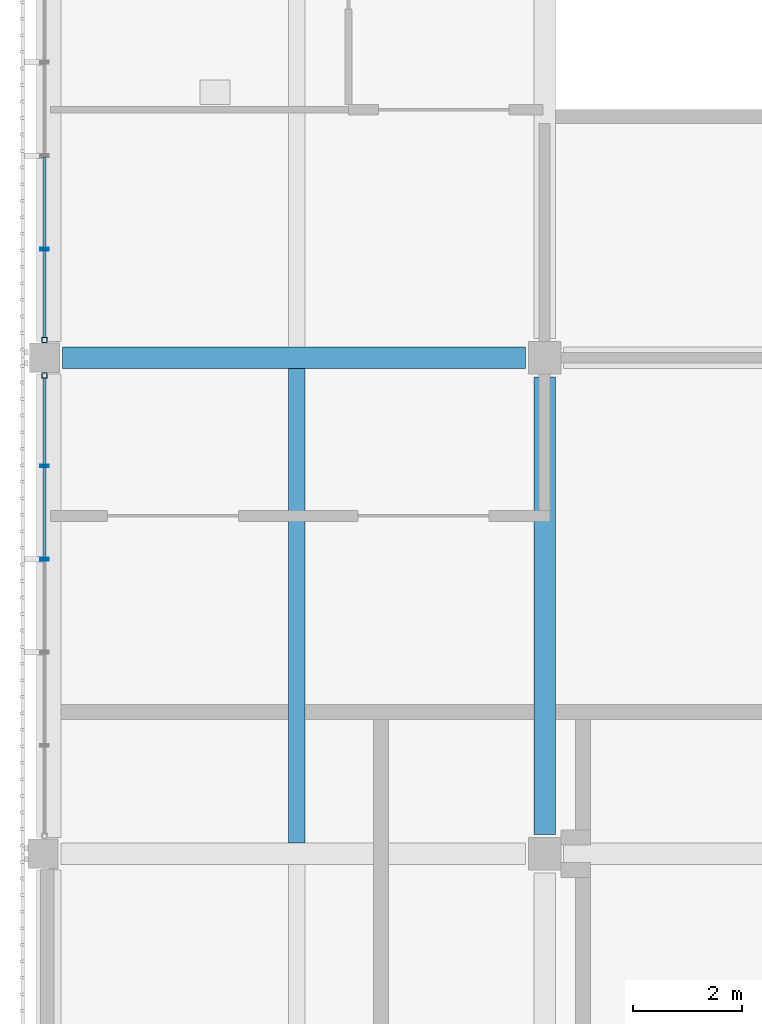
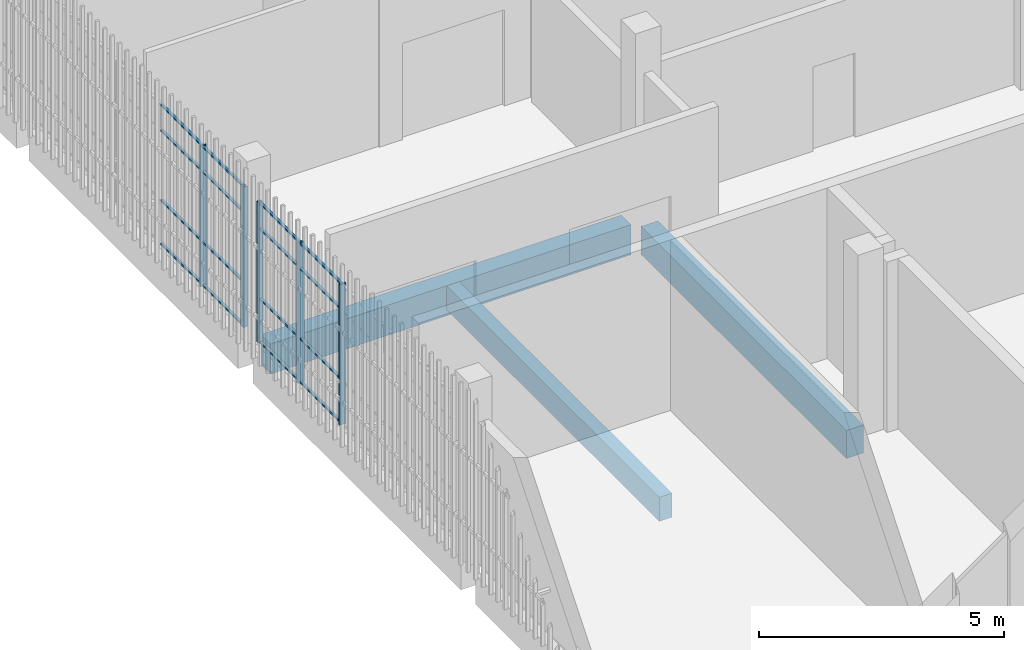
# One storey, part 14 of 124: 21 members, 3 beams, 2 elements without a shape of their own.
"""IFC4 building model written with IfcOpenShell, lengths in metres."""

import ifcopenshell
import ifcopenshell.guid

model = None  # the IFC model being written
_history = None  # IfcOwnerHistory: only IFC2X3 demands one
_inside = {}  # id of a spatial element -> (the spatial element, [elements in it])
_under = {}  # id of a project, library or spatial element -> (it, [spatial elements below it])
_declared = {}  # id of a project -> (the project, [libraries it declares])
_typed = {}  # id of a type object -> (the type object, [elements of that type])
_made_of = {}  # id of a material, layer set ... -> (it, [elements and type objects made of it])


def new_model(schema):
    """Start an empty IFC model of exactly this schema.

    Asked for "IFC4X3", IfcOpenShell would pick the latest addendum, in which some entities
    have other attributes; the version numbers below select the first issue.
    IFC2X3 requires an IfcOwnerHistory on every rooted entity: one is made here for all.
    """
    global model, _history
    if schema == "IFC4X3":
        model = ifcopenshell.file(schema_version=(4, 3, 0, 0))
    else:
        model = ifcopenshell.file(schema=schema)
    _inside.clear()
    _under.clear()
    _declared.clear()
    _typed.clear()
    _made_of.clear()
    _history = None
    if model.schema == "IFC2X3":
        org = make("IfcOrganization", Name="unknown")
        user = make(
            "IfcPersonAndOrganization",
            ThePerson=make("IfcPerson", FamilyName="unknown"),
            TheOrganization=org,
        )
        app = make(
            "IfcApplication",
            ApplicationDeveloper=org,
            Version="unknown",
            ApplicationFullName="unknown",
            ApplicationIdentifier="unknown",
        )
        _history = make(
            "IfcOwnerHistory",
            OwningUser=user,
            OwningApplication=app,
            ChangeAction="ADDED",
            CreationDate=0,
        )
    return model


def make(cls, **values):
    """One entity of the class cls with the attributes given. An attribute that is None is left unset."""
    return model.create_entity(
        cls, **{name: value for name, value in values.items() if value is not None}
    )


def rooted(cls, **values):
    """An entity with a GlobalId (a new one), such as an element, a storey or a relation."""
    return make(cls, GlobalId=ifcopenshell.guid.new(), OwnerHistory=_history, **values)


def si_unit(unit_type, name, prefix=None):
    """IfcSIUnit, for example si_unit("LENGTHUNIT", "METRE", prefix="MILLI")."""
    return make("IfcSIUnit", UnitType=unit_type, Prefix=prefix, Name=name)


def assignment(units):
    """IfcUnitAssignment: the units of a project."""
    return None if units is None else make("IfcUnitAssignment", Units=units)


def point(xyz):
    """IfcCartesianPoint."""
    return None if xyz is None else make("IfcCartesianPoint", Coordinates=xyz)


def direction(xyz):
    """IfcDirection."""
    return None if xyz is None else make("IfcDirection", DirectionRatios=xyz)


def frame(location, z_axis=None, x_axis=None):
    """IfcAxis2Placement3D, a coordinate frame: its origin and axes. An axis left out is left unset."""
    return make(
        "IfcAxis2Placement3D",
        Location=point(location),
        Axis=direction(z_axis),
        RefDirection=direction(x_axis),
    )


def frame_2d(location, x_axis=None):
    """IfcAxis2Placement2D, a coordinate frame in the plane: its origin and x axis."""
    return make(
        "IfcAxis2Placement2D", Location=point(location), RefDirection=direction(x_axis)
    )


def origin():
    """The frame at (0, 0, 0) with its axes left unset."""
    return frame((0.0, 0.0, 0.0))


def origin_2d():
    """The frame at (0, 0) in the plane with its x axis left unset."""
    return frame_2d((0.0, 0.0))


def place(relative_to, where):
    """IfcLocalPlacement: puts the frame where relative to a parent placement (None: the world)."""
    return make(
        "IfcLocalPlacement", PlacementRelTo=relative_to, RelativePlacement=where
    )


def context(
    kind, dimensions, precision=None, world=None, true_north=None, identifier=None
):
    """IfcGeometricRepresentationContext, for example the 3D "Model" context."""
    return make(
        "IfcGeometricRepresentationContext",
        ContextIdentifier=identifier,
        ContextType=kind,
        CoordinateSpaceDimension=dimensions,
        Precision=precision,
        WorldCoordinateSystem=world,
        TrueNorth=true_north,
    )


def subcontext(parent, identifier, kind, view, scale=None):
    """IfcGeometricRepresentationSubContext, for example "Body" below "Model"."""
    return make(
        "IfcGeometricRepresentationSubContext",
        ContextIdentifier=identifier,
        ContextType=kind,
        ParentContext=parent,
        TargetScale=scale,
        TargetView=view,
    )


def project(units=None, contexts=None):
    """IfcProject with its units and contexts."""
    return rooted(
        "IfcProject",
        Name="project",
        RepresentationContexts=contexts,
        UnitsInContext=assignment(units),
    )


def spatial(cls, under=None, at=None, **own):
    """A site, building, storey or space (cls), placed at a placement, below another one or the project."""
    s = rooted(cls, ObjectPlacement=at, **own)
    if under is not None:
        _under.setdefault(under.id(), (under, []))[1].append(s)
    return s


def profile(cls, at=None, kind="AREA", **sizes):
    """A parametric profile (cls). Its sizes go by their IFC names, for example OverallWidth=200.0."""
    return make(cls, ProfileType=kind, Position=at, **sizes)


def rectangle(**sizes):
    """IfcRectangleProfileDef."""
    return profile("IfcRectangleProfileDef", **sizes)


def hollow_rectangle(**sizes):
    """IfcRectangleHollowProfileDef."""
    return profile("IfcRectangleHollowProfileDef", **sizes)


def extrude(swept, where, along, depth):
    """IfcExtrudedAreaSolid: the profile swept, set in the frame where, extruded along a direction by depth."""
    return make(
        "IfcExtrudedAreaSolid",
        SweptArea=swept,
        Position=where,
        ExtrudedDirection=direction(along),
        Depth=depth,
    )


def shape(context_of_items, identifier, shape_type, items):
    """IfcShapeRepresentation: the items that make up one representation, for example the "Body"."""
    return make(
        "IfcShapeRepresentation",
        ContextOfItems=context_of_items,
        RepresentationIdentifier=identifier,
        RepresentationType=shape_type,
        Items=items,
    )


def material(Name=None, Category=None):
    """IfcMaterial."""
    return make("IfcMaterial", Name=Name, Category=Category)


def layer(
    of_material, thickness, ventilated=None, Name=None, Category=None, Priority=None
):
    """IfcMaterialLayer: one layer of a wall or slab, of a material (None: an air gap)."""
    return make(
        "IfcMaterialLayer",
        Material=of_material,
        LayerThickness=thickness,
        IsVentilated=ventilated,
        Name=Name,
        Category=Category,
        Priority=Priority,
    )


def layer_set(layers, Name=None):
    """IfcMaterialLayerSet."""
    return make("IfcMaterialLayerSet", MaterialLayers=layers, LayerSetName=Name)


def material_profile(
    of_material, cross_section, Name=None, Category=None, Priority=None
):
    """IfcMaterialProfile: a cross section and its material."""
    return make(
        "IfcMaterialProfile",
        Name=Name,
        Material=of_material,
        Profile=cross_section,
        Priority=Priority,
        Category=Category,
    )


def profile_set(profiles, Name=None, composite=None):
    """IfcMaterialProfileSet."""
    return make(
        "IfcMaterialProfileSet",
        Name=Name,
        MaterialProfiles=profiles,
        CompositeProfile=composite,
    )


def made_of(thing, what):
    """Note that an element or type object is made of a material, layer set ...; save() writes the relation."""
    if what is not None:
        _made_of.setdefault(what.id(), (what, []))[1].append(thing)
    return thing


def type_object(cls, material=None, **own):
    """A type object (cls), such as IfcWallType, which elements share."""
    return made_of(rooted(cls, **own), material)


def element(
    cls,
    number,
    at=None,
    inside=None,
    cuts=None,
    type_object=None,
    material=None,
    context=None,
    identifier="Body",
    shape_type=None,
    held_by="IfcProductDefinitionShape",
    body=None,
    shapes=None,
    **own,
):
    """One element of the class cls, such as IfcWall. Its Tag is "e" and its number.

    at: its placement. inside: the storey or other place that contains it. cuts: it is an
    opening in that element (IfcRelVoidsElement). A single representation is given by context,
    identifier, shape_type and body (its items); several are given by shapes. held_by: the class
    of the entity that holds the representations. save() writes the other relations.
    """
    e = rooted(cls, Tag="e%d" % number, ObjectPlacement=at, **own)
    if body is not None:
        shapes = [shape(context, identifier, shape_type, body)]
    if shapes is not None:
        e.Representation = make(held_by, Representations=shapes)
    if inside is not None:
        _inside.setdefault(inside.id(), (inside, []))[1].append(e)
    if cuts is not None:
        rooted(
            "IfcRelVoidsElement", RelatingBuildingElement=cuts, RelatedOpeningElement=e
        )
    if type_object is not None:
        _typed.setdefault(type_object.id(), (type_object, []))[1].append(e)
    return made_of(e, material)


def aggregate(whole, parts):
    """IfcRelAggregates: a whole, such as a stair, and the parts it consists of."""
    return rooted("IfcRelAggregates", RelatingObject=whole, RelatedObjects=parts)


def save(model, path):
    """Write the relations noted so far, then the file.

    IfcRelAggregates (storeys below a building ...), IfcRelContainedInSpatialStructure (elements
    in a storey), IfcRelDefinesByType, IfcRelAssociatesMaterial and IfcRelDeclares: one each for
    every whole, place, type object, material and project.
    """
    for whole, parts in _under.values():
        aggregate(whole, parts)
    for where, things in _inside.values():
        rooted(
            "IfcRelContainedInSpatialStructure",
            RelatedElements=things,
            RelatingStructure=where,
        )
    for kind, things in _typed.values():
        rooted("IfcRelDefinesByType", RelatedObjects=things, RelatingType=kind)
    for what, things in _made_of.values():
        rooted("IfcRelAssociatesMaterial", RelatedObjects=things, RelatingMaterial=what)
    for by, libraries in _declared.values():
        rooted("IfcRelDeclares", RelatingContext=by, RelatedDefinitions=libraries)
    model.write(path)


model = new_model("IFC4")

# Units and contexts
model_context = context("Model", 3, precision=1e-05, world=origin(), true_north=direction((0.0, 1.0)))
body_context = subcontext(model_context, "Body", "Model", "MODEL_VIEW")
ifc_project = project(units=[si_unit("LENGTHUNIT", "METRE"), si_unit("AREAUNIT", "SQUARE_METRE"), si_unit("VOLUMEUNIT", "CUBIC_METRE"), si_unit("PLANEANGLEUNIT", "RADIAN"), si_unit("MASSUNIT", "GRAM", prefix="KILO")], contexts=[model_context])

# Site, building, storey
site_placement = place(None, origin())
site = spatial("IfcSite", under=ifc_project, at=site_placement, CompositionType="ELEMENT")
building_placement = place(site_placement, origin())
building = spatial("IfcBuilding", under=site, at=building_placement, Name="Shirokan Park Arena", CompositionType="ELEMENT")
storey_placement = place(building_placement, frame((0.0, 0.0, 20.02001953125)))
storey = spatial("IfcBuildingStorey", under=building, at=storey_placement, Name="L04", CompositionType="ELEMENT", Elevation=20.02001953125)

# Curtain wall, member
ifc_material_1 = material(Name="Steel and glass curtain wall", Category="steel")
ifc_layer = layer(ifc_material_1, 0.14990234375)
ifc_layer_set = layer_set([ifc_layer], Name="Steel and glass curtain wall 150 mm")
curtain_wall_type = type_object("IfcCurtainWallType", Name="Curtain wall exposed bay 150", PredefinedType="NOTDEFINED", material=ifc_layer_set)
curtain_wall_1_placement = place(storey_placement, origin())
curtain_wall_1 = element("IfcCurtainWall", 1, at=curtain_wall_1_placement, inside=storey, type_object=curtain_wall_type, Name="Curtain wall west bay 8 L04", PredefinedType="NOTDEFINED")
ifc_material_2 = material(Name="Steel S355", Category="steel")
ifc_material_profile_1 = material_profile(ifc_material_2, hollow_rectangle(XDim=0.10009765625, YDim=0.10009765625, WallThickness=0.006103515625, at=origin_2d()), Name="RHS 100x100x6")
ifc_profile_set_1 = profile_set([ifc_material_profile_1], Name="Steel S355")
member_type_1 = type_object("IfcMemberType", Name="Mullion RHS 100x100x6", PredefinedType="MULLION", material=ifc_profile_set_1)
member_1_placement = place(storey_placement, frame((-0.074951171875, 36.72509765625, 0.0), z_axis=(0.0, 0.0, 1.0), x_axis=(1.0, 0.0, 0.0)))
member_1 = element("IfcMember", 2, at=member_1_placement, type_object=member_type_1, Name="CW1 mullion 6", PredefinedType="MULLION", context=body_context, shape_type="SweptSolid", body=[
    extrude(hollow_rectangle(XDim=0.10009765625, YDim=0.10009765625, WallThickness=0.006103515625, at=origin_2d()), origin(), (0.0, 0.0, 1.0), 3.5),
])

curtain_wall_2_placement = place(storey_placement, origin())
curtain_wall_2 = element("IfcCurtainWall", 3, at=curtain_wall_2_placement, inside=storey, type_object=curtain_wall_type, Name="Curtain wall west bay 9 L04", PredefinedType="NOTDEFINED")
member_2_placement = place(storey_placement, frame((-0.074951171875, 36.074951171875, 0.0), z_axis=(0.0, 0.0, 1.0), x_axis=(1.0, 0.0, 0.0)))
member_2 = element("IfcMember", 4, at=member_2_placement, type_object=member_type_1, Name="CW1 mullion 1", PredefinedType="MULLION", context=body_context, shape_type="SweptSolid", body=[
    extrude(hollow_rectangle(XDim=0.10009765625, YDim=0.10009765625, WallThickness=0.006103515625, at=origin_2d()), origin(), (0.0, 0.0, 1.0), 3.5),
])

# Member
ifc_material_profile_2 = material_profile(ifc_material_2, hollow_rectangle(XDim=0.14990234375, YDim=0.050048828125, WallThickness=0.006103515625, at=origin_2d()), Name="RHS 150x50x6")
ifc_profile_set_2 = profile_set([ifc_material_profile_2], Name="Steel S355")
member_type_2 = type_object("IfcMemberType", Name="Mullion RHS 150x50x6", PredefinedType="MULLION", material=ifc_profile_set_2)
member_3_placement = place(storey_placement, frame((-0.074951171875, 38.389892578125, 0.0), z_axis=(0.0, 0.0, 1.0), x_axis=(1.0, 0.0, 0.0)))
member_3 = element("IfcMember", 5, at=member_3_placement, type_object=member_type_2, Name="CW1 mullion 5", PredefinedType="MULLION", context=body_context, shape_type="SweptSolid", body=[
    extrude(hollow_rectangle(XDim=0.14990234375, YDim=0.050048828125, WallThickness=0.006103515625, at=origin_2d()), origin(), (0.0, 0.0, 1.0), 3.5),
])

member_4_placement = place(storey_placement, frame((-0.074951171875, 34.4150390625, 0.0), z_axis=(0.0, 0.0, 1.0), x_axis=(1.0, 0.0, 0.0)))
member_4 = element("IfcMember", 6, at=member_4_placement, type_object=member_type_2, Name="CW1 mullion 2", PredefinedType="MULLION", context=body_context, shape_type="SweptSolid", body=[
    extrude(hollow_rectangle(XDim=0.14990234375, YDim=0.050048828125, WallThickness=0.006103515625, at=origin_2d()), origin(), (0.0, 0.0, 1.0), 3.5),
])

member_5_placement = place(storey_placement, frame((-0.074951171875, 32.705078125, 0.0), z_axis=(0.0, 0.0, 1.0), x_axis=(1.0, 0.0, 0.0)))
member_5 = element("IfcMember", 7, at=member_5_placement, type_object=member_type_2, Name="CW1 mullion 3", PredefinedType="MULLION", context=body_context, shape_type="SweptSolid", body=[
    extrude(hollow_rectangle(XDim=0.14990234375, YDim=0.050048828125, WallThickness=0.006103515625, at=origin_2d()), origin(), (0.0, 0.0, 1.0), 3.5),
])

# Beams
ifc_material_3 = material(Name="Concrete C35", Category="concrete")
ifc_material_profile_3 = material_profile(ifc_material_3, rectangle(XDim=0.39990234375, YDim=0.699951171875, at=origin_2d()), Name="400x700")
ifc_profile_set_3 = profile_set([ifc_material_profile_3], Name="Concrete C35")
beam_type_1 = type_object("IfcBeamType", Name="RC girder 400x700", PredefinedType="BEAM", material=ifc_profile_set_3)
beam_1_placement = place(storey_placement, frame((9.10009765625, 27.650146484375, -0.60009765625), z_axis=(0.0, 1.0, 0.0), x_axis=(-1.0, 0.0, 0.0)))
element("IfcBeam", 8, at=beam_1_placement, inside=storey, type_object=beam_type_1, Name="Girder 2D-2E L04", PredefinedType="BEAM", context=body_context, shape_type="SweptSolid", body=[
    extrude(rectangle(XDim=0.39990234375, YDim=0.699951171875, at=origin_2d()), origin(), (0.0, 0.0, 1.0), 8.399658203125),
])
ifc_material_profile_4 = material_profile(ifc_material_3, rectangle(XDim=0.39990234375, YDim=0.75, at=origin_2d()), Name="400x750")
ifc_profile_set_4 = profile_set([ifc_material_profile_4], Name="Concrete C35")
beam_type_2 = type_object("IfcBeamType", Name="RC girder 400x750", PredefinedType="BEAM", material=ifc_profile_set_4)
beam_2_placement = place(storey_placement, frame((0.25, 36.39990234375, -0.625), z_axis=(1.0, 0.0, 0.0), x_axis=(0.0, 1.0, 0.0)))
element("IfcBeam", 9, at=beam_2_placement, inside=storey, type_object=beam_type_2, Name="Girder 1E-2E L04", PredefinedType="BEAM", context=body_context, shape_type="SweptSolid", body=[
    extrude(rectangle(XDim=0.39990234375, YDim=0.75, at=origin_2d()), origin(), (0.0, 0.0, 1.0), 8.5),
])
ifc_material_profile_5 = material_profile(ifc_material_3, rectangle(XDim=0.300048828125, YDim=0.60009765625, at=origin_2d()), Name="300x600")
ifc_profile_set_5 = profile_set([ifc_material_profile_5], Name="Concrete C35")
beam_type_3 = type_object("IfcBeamType", Name="RC joist 300x600", PredefinedType="JOIST", material=ifc_profile_set_5)
beam_3_placement = place(storey_placement, frame((4.550048828125, 27.5, -0.550048828125), z_axis=(0.0, 1.0, 0.0), x_axis=(-1.0, 0.0, 0.0)))
element("IfcBeam", 10, at=beam_3_placement, inside=storey, type_object=beam_type_3, Name="Joist 1D L04", PredefinedType="JOIST", context=body_context, shape_type="SweptSolid", body=[
    extrude(rectangle(XDim=0.300048828125, YDim=0.60009765625, at=origin_2d()), origin(), (0.0, 0.0, 1.0), 8.699951171875),
])

# Member
ifc_material_profile_6 = material_profile(ifc_material_2, hollow_rectangle(XDim=0.06005859375, YDim=0.0400390625, WallThickness=0.00390625, at=origin_2d()), Name="RHS 60x40x4")
ifc_profile_set_6 = profile_set([ifc_material_profile_6], Name="Steel S355")
member_type_3 = type_object("IfcMemberType", Name="Transom RHS 60x40x4", PredefinedType="MULLION", material=ifc_profile_set_6)
member_6_placement = place(storey_placement, frame((-0.074951171875, 40.080078125, 0.02001953125), z_axis=(0.0, -1.0, 0.0), x_axis=(1.0, 0.0, 0.0)))
member_6 = element("IfcMember", 11, at=member_6_placement, type_object=member_type_3, Name="CW1 transom 4.1", PredefinedType="MULLION", context=body_context, shape_type="SweptSolid", body=[
    extrude(hollow_rectangle(XDim=0.06005859375, YDim=0.0400390625, WallThickness=0.00390625, at=origin_2d()), origin(), (0.0, 0.0, 1.0), 1.6650390625),
])

member_7_placement = place(storey_placement, frame((-0.074951171875, 40.080078125, 1.10009765625), z_axis=(0.0, -1.0, 0.0), x_axis=(1.0, 0.0, 0.0)))
member_7 = element("IfcMember", 12, at=member_7_placement, type_object=member_type_3, Name="CW1 transom 4.2", PredefinedType="MULLION", context=body_context, shape_type="SweptSolid", body=[
    extrude(hollow_rectangle(XDim=0.06005859375, YDim=0.0400390625, WallThickness=0.00390625, at=origin_2d()), origin(), (0.0, 0.0, 1.0), 1.6650390625),
])

member_8_placement = place(storey_placement, frame((-0.074951171875, 40.080078125, 2.85009765625), z_axis=(0.0, -1.0, 0.0), x_axis=(1.0, 0.0, 0.0)))
member_8 = element("IfcMember", 13, at=member_8_placement, type_object=member_type_3, Name="CW1 transom 4.3", PredefinedType="MULLION", context=body_context, shape_type="SweptSolid", body=[
    extrude(hollow_rectangle(XDim=0.06005859375, YDim=0.0400390625, WallThickness=0.00390625, at=origin_2d()), origin(), (0.0, 0.0, 1.0), 1.6650390625),
])

member_9_placement = place(storey_placement, frame((-0.074951171875, 40.080078125, 3.47998046875), z_axis=(0.0, -1.0, 0.0), x_axis=(1.0, 0.0, 0.0)))
member_9 = element("IfcMember", 14, at=member_9_placement, type_object=member_type_3, Name="CW1 transom 4.4", PredefinedType="MULLION", context=body_context, shape_type="SweptSolid", body=[
    extrude(hollow_rectangle(XDim=0.06005859375, YDim=0.0400390625, WallThickness=0.00390625, at=origin_2d()), origin(), (0.0, 0.0, 1.0), 1.6650390625),
])

member_10_placement = place(storey_placement, frame((-0.074951171875, 38.364990234375, 0.02001953125), z_axis=(0.0, -1.0, 0.0), x_axis=(1.0, 0.0, 0.0)))
member_10 = element("IfcMember", 15, at=member_10_placement, type_object=member_type_3, Name="CW1 transom 5.1", PredefinedType="MULLION", context=body_context, shape_type="SweptSolid", body=[
    extrude(hollow_rectangle(XDim=0.06005859375, YDim=0.0400390625, WallThickness=0.00390625, at=origin_2d()), origin(), (0.0, 0.0, 1.0), 1.590087890625),
])

member_11_placement = place(storey_placement, frame((-0.074951171875, 38.364990234375, 1.10009765625), z_axis=(0.0, -1.0, 0.0), x_axis=(1.0, 0.0, 0.0)))
member_11 = element("IfcMember", 16, at=member_11_placement, type_object=member_type_3, Name="CW1 transom 5.2", PredefinedType="MULLION", context=body_context, shape_type="SweptSolid", body=[
    extrude(hollow_rectangle(XDim=0.06005859375, YDim=0.0400390625, WallThickness=0.00390625, at=origin_2d()), origin(), (0.0, 0.0, 1.0), 1.590087890625),
])

member_12_placement = place(storey_placement, frame((-0.074951171875, 38.364990234375, 2.85009765625), z_axis=(0.0, -1.0, 0.0), x_axis=(1.0, 0.0, 0.0)))
member_12 = element("IfcMember", 17, at=member_12_placement, type_object=member_type_3, Name="CW1 transom 5.3", PredefinedType="MULLION", context=body_context, shape_type="SweptSolid", body=[
    extrude(hollow_rectangle(XDim=0.06005859375, YDim=0.0400390625, WallThickness=0.00390625, at=origin_2d()), origin(), (0.0, 0.0, 1.0), 1.590087890625),
])

member_13_placement = place(storey_placement, frame((-0.074951171875, 38.364990234375, 3.47998046875), z_axis=(0.0, -1.0, 0.0), x_axis=(1.0, 0.0, 0.0)))
member_13 = element("IfcMember", 18, at=member_13_placement, type_object=member_type_3, Name="CW1 transom 5.4", PredefinedType="MULLION", context=body_context, shape_type="SweptSolid", body=[
    extrude(hollow_rectangle(XDim=0.06005859375, YDim=0.0400390625, WallThickness=0.00390625, at=origin_2d()), origin(), (0.0, 0.0, 1.0), 1.590087890625),
])

aggregate(curtain_wall_1, [member_3, member_1, member_6, member_7, member_8, member_9, member_10, member_11, member_12, member_13])

member_14_placement = place(storey_placement, frame((-0.074951171875, 36.02490234375, 0.02001953125), z_axis=(0.0, -1.0, 0.0), x_axis=(1.0, 0.0, 0.0)))
member_14 = element("IfcMember", 19, at=member_14_placement, type_object=member_type_3, Name="CW1 transom 1.1", PredefinedType="MULLION", context=body_context, shape_type="SweptSolid", body=[
    extrude(hollow_rectangle(XDim=0.06005859375, YDim=0.0400390625, WallThickness=0.00390625, at=origin_2d()), origin(), (0.0, 0.0, 1.0), 1.5849609375),
])

member_15_placement = place(storey_placement, frame((-0.074951171875, 36.02490234375, 1.10009765625), z_axis=(0.0, -1.0, 0.0), x_axis=(1.0, 0.0, 0.0)))
member_15 = element("IfcMember", 20, at=member_15_placement, type_object=member_type_3, Name="CW1 transom 1.2", PredefinedType="MULLION", context=body_context, shape_type="SweptSolid", body=[
    extrude(hollow_rectangle(XDim=0.06005859375, YDim=0.0400390625, WallThickness=0.00390625, at=origin_2d()), origin(), (0.0, 0.0, 1.0), 1.5849609375),
])

member_16_placement = place(storey_placement, frame((-0.074951171875, 36.02490234375, 2.85009765625), z_axis=(0.0, -1.0, 0.0), x_axis=(1.0, 0.0, 0.0)))
member_16 = element("IfcMember", 21, at=member_16_placement, type_object=member_type_3, Name="CW1 transom 1.3", PredefinedType="MULLION", context=body_context, shape_type="SweptSolid", body=[
    extrude(hollow_rectangle(XDim=0.06005859375, YDim=0.0400390625, WallThickness=0.00390625, at=origin_2d()), origin(), (0.0, 0.0, 1.0), 1.5849609375),
])

member_17_placement = place(storey_placement, frame((-0.074951171875, 36.02490234375, 3.47998046875), z_axis=(0.0, -1.0, 0.0), x_axis=(1.0, 0.0, 0.0)))
member_17 = element("IfcMember", 22, at=member_17_placement, type_object=member_type_3, Name="CW1 transom 1.4", PredefinedType="MULLION", context=body_context, shape_type="SweptSolid", body=[
    extrude(hollow_rectangle(XDim=0.06005859375, YDim=0.0400390625, WallThickness=0.00390625, at=origin_2d()), origin(), (0.0, 0.0, 1.0), 1.5849609375),
])

member_18_placement = place(storey_placement, frame((-0.074951171875, 34.389892578125, 0.02001953125), z_axis=(0.0, -1.0, 0.0), x_axis=(1.0, 0.0, 0.0)))
member_18 = element("IfcMember", 23, at=member_18_placement, type_object=member_type_3, Name="CW1 transom 2.1", PredefinedType="MULLION", context=body_context, shape_type="SweptSolid", body=[
    extrude(hollow_rectangle(XDim=0.06005859375, YDim=0.0400390625, WallThickness=0.00390625, at=origin_2d()), origin(), (0.0, 0.0, 1.0), 1.659912109375),
])

member_19_placement = place(storey_placement, frame((-0.074951171875, 34.389892578125, 1.10009765625), z_axis=(0.0, -1.0, 0.0), x_axis=(1.0, 0.0, 0.0)))
member_19 = element("IfcMember", 24, at=member_19_placement, type_object=member_type_3, Name="CW1 transom 2.2", PredefinedType="MULLION", context=body_context, shape_type="SweptSolid", body=[
    extrude(hollow_rectangle(XDim=0.06005859375, YDim=0.0400390625, WallThickness=0.00390625, at=origin_2d()), origin(), (0.0, 0.0, 1.0), 1.659912109375),
])

member_20_placement = place(storey_placement, frame((-0.074951171875, 34.389892578125, 2.85009765625), z_axis=(0.0, -1.0, 0.0), x_axis=(1.0, 0.0, 0.0)))
member_20 = element("IfcMember", 25, at=member_20_placement, type_object=member_type_3, Name="CW1 transom 2.3", PredefinedType="MULLION", context=body_context, shape_type="SweptSolid", body=[
    extrude(hollow_rectangle(XDim=0.06005859375, YDim=0.0400390625, WallThickness=0.00390625, at=origin_2d()), origin(), (0.0, 0.0, 1.0), 1.659912109375),
])

member_21_placement = place(storey_placement, frame((-0.074951171875, 34.389892578125, 3.47998046875), z_axis=(0.0, -1.0, 0.0), x_axis=(1.0, 0.0, 0.0)))
member_21 = element("IfcMember", 26, at=member_21_placement, type_object=member_type_3, Name="CW1 transom 2.4", PredefinedType="MULLION", context=body_context, shape_type="SweptSolid", body=[
    extrude(hollow_rectangle(XDim=0.06005859375, YDim=0.0400390625, WallThickness=0.00390625, at=origin_2d()), origin(), (0.0, 0.0, 1.0), 1.659912109375),
])

aggregate(curtain_wall_2, [member_2, member_4, member_5, member_14, member_15, member_16, member_17, member_18, member_19, member_20, member_21])

save(model, "model.ifc")
